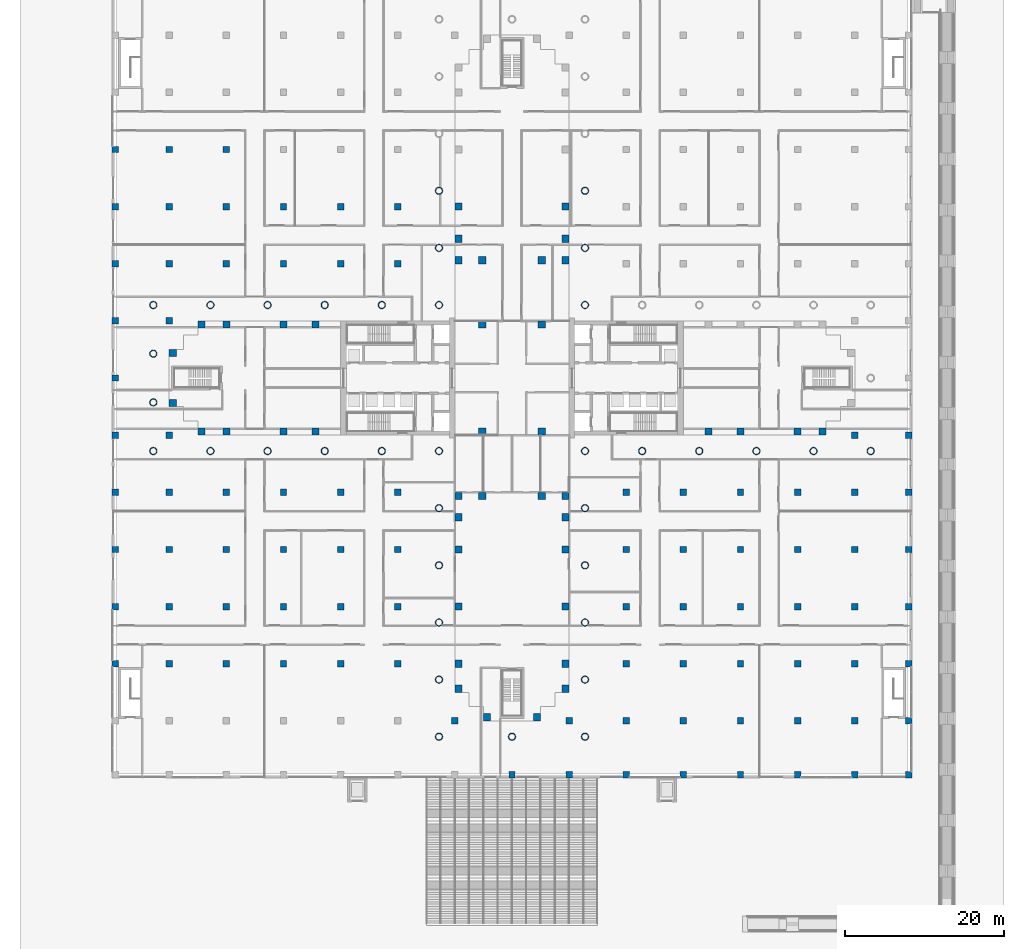
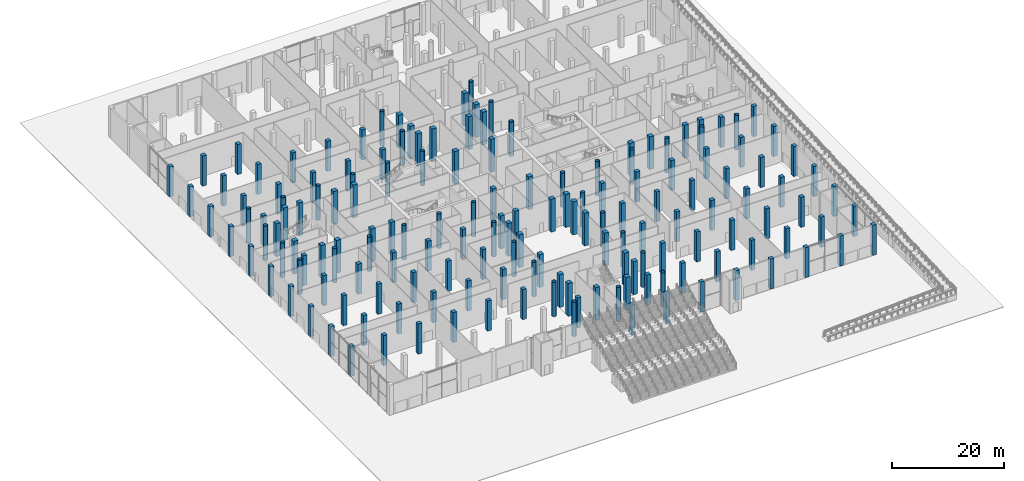
# One storey, part 2 of 44: 164 columns.
"""IFC4 building model written with IfcOpenShell, lengths in metres."""

from ifc_helpers import new_model, si_unit, direction, frame, origin, origin_2d, place, context, subcontext, project, spatial, rectangle, hollow_circle, extrude, material, material_profile, profile_set, type_object, element, save


model = new_model("IFC4")

# Units and contexts
model_context = context("Model", 3, precision=1e-05, world=origin(), true_north=direction((0.0, 1.0)))
body_context = subcontext(model_context, "Body", "Model", "MODEL_VIEW")
ifc_project = project(units=[si_unit("LENGTHUNIT", "METRE"), si_unit("AREAUNIT", "SQUARE_METRE"), si_unit("VOLUMEUNIT", "CUBIC_METRE"), si_unit("PLANEANGLEUNIT", "RADIAN"), si_unit("MASSUNIT", "GRAM", prefix="KILO")], contexts=[model_context])

# Site, building, storey
site_placement = place(None, origin())
site = spatial("IfcSite", under=ifc_project, at=site_placement, CompositionType="ELEMENT")
building_placement = place(site_placement, origin())
building = spatial("IfcBuilding", under=site, at=building_placement, Name="Fustian Cross Tower", CompositionType="ELEMENT")
storey_placement = place(building_placement, origin())
storey = spatial("IfcBuildingStorey", under=building, at=storey_placement, Name="L00", CompositionType="ELEMENT", Elevation=0.0)

# Columns
ifc_material_1 = material(Name="Concrete C50/60", Category="concrete")
ifc_material_profile_1 = material_profile(ifc_material_1, rectangle(XDim=0.800048828125, YDim=0.800048828125, at=origin_2d()), Name="RC 800x800")
ifc_profile_set_1 = profile_set([ifc_material_profile_1], Name="Concrete C50/60")
column_type_1 = type_object("IfcColumnType", Name="COLUMN RC 800x800 C50/60", PredefinedType="COLUMN", material=ifc_profile_set_1)
for number, where, z_axis, x_axis, name in (
    (1, (-50.0, -36.0, 0.0), (0.0, 0.0, 1.0), (1.0, 0.0, 0.0), "COLUMN 067"),
    (2, (-50.0, -28.800048828125, 0.0), (0.0, 0.0, 1.0), (1.0, 0.0, 0.0), "COLUMN 068"),
    (3, (-50.0, -21.60009765625, 0.0), (0.0, 0.0, 1.0), (1.0, 0.0, 0.0), "COLUMN 069"),
    (4, (-50.0, -14.39990234375, 0.0), (0.0, 0.0, 1.0), (1.0, 0.0, 0.0), "COLUMN 070"),
    (5, (-50.0, -7.199951171875, 0.0), (0.0, 0.0, 1.0), (1.0, 0.0, 0.0), "COLUMN 071"),
    (6, (-50.0, 0.0, 0.0), (0.0, 0.0, 1.0), (1.0, 0.0, 0.0), "COLUMN 072"),
    (7, (-50.0, 7.199951171875, 0.0), (0.0, 0.0, 1.0), (1.0, 0.0, 0.0), "COLUMN 073"),
    (8, (-50.0, 14.39990234375, 0.0), (0.0, 0.0, 1.0), (1.0, 0.0, 0.0), "COLUMN 074"),
    (9, (-50.0, 21.60009765625, 0.0), (0.0, 0.0, 1.0), (1.0, 0.0, 0.0), "COLUMN 075"),
    (10, (-50.0, 28.800048828125, 0.0), (0.0, 0.0, 1.0), (1.0, 0.0, 0.0), "COLUMN 076"),
    (11, (-43.199951171875, -36.0, 0.0), (0.0, 0.0, 1.0), (1.0, 0.0, 0.0), "COLUMN 082"),
    (12, (-43.199951171875, -28.800048828125, 0.0), (0.0, 0.0, 1.0), (1.0, 0.0, 0.0), "COLUMN 083"),
    (13, (-43.199951171875, -21.60009765625, 0.0), (0.0, 0.0, 1.0), (1.0, 0.0, 0.0), "COLUMN 084"),
    (14, (-43.199951171875, -14.39990234375, 0.0), (0.0, 0.0, 1.0), (1.0, 0.0, 0.0), "COLUMN 085"),
    (15, (-43.199951171875, -7.199951171875, 0.0), (0.0, 0.0, 1.0), (1.0, 0.0, 0.0), "COLUMN 086"),
    (16, (-43.199951171875, 7.199951171875, 0.0), (0.0, 0.0, 1.0), (1.0, 0.0, 0.0), "COLUMN 087"),
    (17, (-43.199951171875, 14.39990234375, 0.0), (0.0, 0.0, 1.0), (1.0, 0.0, 0.0), "COLUMN 088"),
    (18, (-43.199951171875, 21.60009765625, 0.0), (0.0, 0.0, 1.0), (1.0, 0.0, 0.0), "COLUMN 089"),
    (19, (-43.199951171875, 28.800048828125, 0.0), (0.0, 0.0, 1.0), (1.0, 0.0, 0.0), "COLUMN 090"),
    (20, (-36.0, -36.0, 0.0), (0.0, 0.0, 1.0), (1.0, 0.0, 0.0), "COLUMN 096"),
    (21, (-36.0, -28.800048828125, 0.0), (0.0, 0.0, 1.0), (1.0, 0.0, 0.0), "COLUMN 097"),
    (22, (-36.0, -21.60009765625, 0.0), (0.0, 0.0, 1.0), (1.0, 0.0, 0.0), "COLUMN 098"),
    (23, (-36.0, -14.39990234375, 0.0), (0.0, 0.0, 1.0), (1.0, 0.0, 0.0), "COLUMN 099"),
    (24, (-36.0, 14.39990234375, 0.0), (0.0, 0.0, 1.0), (1.0, 0.0, 0.0), "COLUMN 100"),
    (25, (-36.0, 21.60009765625, 0.0), (0.0, 0.0, 1.0), (1.0, 0.0, 0.0), "COLUMN 101"),
    (26, (-36.0, 28.800048828125, 0.0), (0.0, 0.0, 1.0), (1.0, 0.0, 0.0), "COLUMN 102"),
    (27, (-28.800048828125, -36.0, 0.0), (0.0, 0.0, 1.0), (1.0, 0.0, 0.0), "COLUMN 108"),
    (28, (-28.800048828125, -28.800048828125, 0.0), (0.0, 0.0, 1.0), (1.0, 0.0, 0.0), "COLUMN 109"),
    (29, (-28.800048828125, -21.60009765625, 0.0), (0.0, 0.0, 1.0), (1.0, 0.0, 0.0), "COLUMN 110"),
    (30, (-28.800048828125, -14.39990234375, 0.0), (0.0, 0.0, 1.0), (1.0, 0.0, 0.0), "COLUMN 111"),
    (31, (-28.800048828125, 14.39990234375, 0.0), (0.0, 0.0, 1.0), (1.0, 0.0, 0.0), "COLUMN 112"),
    (32, (-28.800048828125, 21.60009765625, 0.0), (0.0, 0.0, 1.0), (1.0, 0.0, 0.0), "COLUMN 113"),
    (33, (-21.60009765625, -36.0, 0.0), (0.0, 0.0, 1.0), (1.0, 0.0, 0.0), "COLUMN 120"),
    (34, (-21.60009765625, -28.800048828125, 0.0), (0.0, 0.0, 1.0), (1.0, 0.0, 0.0), "COLUMN 121"),
    (35, (-21.60009765625, -21.60009765625, 0.0), (0.0, 0.0, 1.0), (1.0, 0.0, 0.0), "COLUMN 122"),
    (36, (-21.60009765625, -14.39990234375, 0.0), (0.0, 0.0, 1.0), (1.0, 0.0, 0.0), "COLUMN 123"),
    (37, (-21.60009765625, 14.39990234375, 0.0), (0.0, 0.0, 1.0), (1.0, 0.0, 0.0), "COLUMN 124"),
    (38, (-21.60009765625, 21.60009765625, 0.0), (0.0, 0.0, 1.0), (1.0, 0.0, 0.0), "COLUMN 125"),
    (39, (-14.39990234375, -36.0, 0.0), (0.0, 0.0, 1.0), (1.0, 0.0, 0.0), "COLUMN 132"),
    (40, (-14.39990234375, -28.800048828125, 0.0), (0.0, 0.0, 1.0), (1.0, 0.0, 0.0), "COLUMN 133"),
    (41, (-14.39990234375, -21.60009765625, 0.0), (0.0, 0.0, 1.0), (1.0, 0.0, 0.0), "COLUMN 134"),
    (42, (-14.39990234375, -14.39990234375, 0.0), (0.0, 0.0, 1.0), (1.0, 0.0, 0.0), "COLUMN 135"),
    (43, (-14.39990234375, 14.39990234375, 0.0), (0.0, 0.0, 1.0), (1.0, 0.0, 0.0), "COLUMN 136"),
    (44, (-14.39990234375, 21.60009765625, 0.0), (0.0, 0.0, 1.0), (1.0, 0.0, 0.0), "COLUMN 137"),
    (45, (-7.199951171875, -43.199951171875, 0.0), (0.0, 0.0, 1.0), (1.0, 0.0, 0.0), "COLUMN 143"),
    (46, (0.0, -50.0, 0.0), (0.0, 0.0, 1.0), (1.0, 0.0, 0.0), "COLUMN 146"),
    (47, (7.199951171875, -50.0, 0.0), (0.0, 0.0, 1.0), (1.0, 0.0, 0.0), "COLUMN 148"),
    (48, (7.199951171875, -43.199951171875, 0.0), (0.0, 0.0, 1.0), (1.0, 0.0, 0.0), "COLUMN 149"),
    (49, (14.39990234375, -50.0, 0.0), (0.0, 0.0, 1.0), (1.0, 0.0, 0.0), "COLUMN 152"),
    (50, (14.39990234375, -43.199951171875, 0.0), (0.0, 0.0, 1.0), (1.0, 0.0, 0.0), "COLUMN 153"),
    (51, (14.39990234375, -36.0, 0.0), (0.0, 0.0, 1.0), (1.0, 0.0, 0.0), "COLUMN 154"),
    (52, (14.39990234375, -28.800048828125, 0.0), (0.0, 0.0, 1.0), (1.0, 0.0, 0.0), "COLUMN 155"),
    (53, (14.39990234375, -21.60009765625, 0.0), (0.0, 0.0, 1.0), (1.0, 0.0, 0.0), "COLUMN 156"),
    (54, (14.39990234375, -14.39990234375, 0.0), (0.0, 0.0, 1.0), (1.0, 0.0, 0.0), "COLUMN 157"),
    (55, (21.60009765625, -50.0, 0.0), (0.0, 0.0, 1.0), (1.0, 0.0, 0.0), "COLUMN 164"),
    (56, (21.60009765625, -43.199951171875, 0.0), (0.0, 0.0, 1.0), (1.0, 0.0, 0.0), "COLUMN 165"),
    (57, (21.60009765625, -36.0, 0.0), (0.0, 0.0, 1.0), (1.0, 0.0, 0.0), "COLUMN 166"),
    (58, (21.60009765625, -28.800048828125, 0.0), (0.0, 0.0, 1.0), (1.0, 0.0, 0.0), "COLUMN 167"),
    (59, (21.60009765625, -21.60009765625, 0.0), (0.0, 0.0, 1.0), (1.0, 0.0, 0.0), "COLUMN 168"),
    (60, (21.60009765625, -14.39990234375, 0.0), (0.0, 0.0, 1.0), (1.0, 0.0, 0.0), "COLUMN 169"),
    (61, (28.800048828125, -50.0, 0.0), (0.0, 0.0, 1.0), (1.0, 0.0, 0.0), "COLUMN 176"),
    (62, (28.800048828125, -43.199951171875, 0.0), (0.0, 0.0, 1.0), (1.0, 0.0, 0.0), "COLUMN 177"),
    (63, (28.800048828125, -36.0, 0.0), (0.0, 0.0, 1.0), (1.0, 0.0, 0.0), "COLUMN 178"),
    (64, (28.800048828125, -28.800048828125, 0.0), (0.0, 0.0, 1.0), (1.0, 0.0, 0.0), "COLUMN 179"),
    (65, (28.800048828125, -21.60009765625, 0.0), (0.0, 0.0, 1.0), (1.0, 0.0, 0.0), "COLUMN 180"),
    (66, (28.800048828125, -14.39990234375, 0.0), (0.0, 0.0, 1.0), (1.0, 0.0, 0.0), "COLUMN 181"),
    (67, (36.0, -50.0, 0.0), (0.0, 0.0, 1.0), (1.0, 0.0, 0.0), "COLUMN 188"),
    (68, (36.0, -43.199951171875, 0.0), (0.0, 0.0, 1.0), (1.0, 0.0, 0.0), "COLUMN 189"),
    (69, (36.0, -36.0, 0.0), (0.0, 0.0, 1.0), (1.0, 0.0, 0.0), "COLUMN 190"),
    (70, (36.0, -28.800048828125, 0.0), (0.0, 0.0, 1.0), (1.0, 0.0, 0.0), "COLUMN 191"),
    (71, (36.0, -21.60009765625, 0.0), (0.0, 0.0, 1.0), (1.0, 0.0, 0.0), "COLUMN 192"),
    (72, (36.0, -14.39990234375, 0.0), (0.0, 0.0, 1.0), (1.0, 0.0, 0.0), "COLUMN 193"),
    (73, (43.199951171875, -50.0, 0.0), (0.0, 0.0, 1.0), (1.0, 0.0, 0.0), "COLUMN 200"),
    (74, (43.199951171875, -43.199951171875, 0.0), (0.0, 0.0, 1.0), (1.0, 0.0, 0.0), "COLUMN 201"),
    (75, (43.199951171875, -36.0, 0.0), (0.0, 0.0, 1.0), (1.0, 0.0, 0.0), "COLUMN 202"),
    (76, (43.199951171875, -28.800048828125, 0.0), (0.0, 0.0, 1.0), (1.0, 0.0, 0.0), "COLUMN 203"),
    (77, (43.199951171875, -21.60009765625, 0.0), (0.0, 0.0, 1.0), (1.0, 0.0, 0.0), "COLUMN 204"),
    (78, (43.199951171875, -14.39990234375, 0.0), (0.0, 0.0, 1.0), (1.0, 0.0, 0.0), "COLUMN 205"),
    (79, (43.199951171875, -7.199951171875, 0.0), (0.0, 0.0, 1.0), (1.0, 0.0, 0.0), "COLUMN 206"),
    (80, (50.0, -50.0, 0.0), (0.0, 0.0, 1.0), (1.0, 0.0, 0.0), "COLUMN 214"),
    (81, (50.0, -43.199951171875, 0.0), (0.0, 0.0, 1.0), (1.0, 0.0, 0.0), "COLUMN 215"),
    (82, (50.0, -36.0, 0.0), (0.0, 0.0, 1.0), (1.0, 0.0, 0.0), "COLUMN 216"),
    (83, (50.0, -28.800048828125, 0.0), (0.0, 0.0, 1.0), (1.0, 0.0, 0.0), "COLUMN 217"),
    (84, (50.0, -21.60009765625, 0.0), (0.0, 0.0, 1.0), (1.0, 0.0, 0.0), "COLUMN 218"),
    (85, (50.0, -14.39990234375, 0.0), (0.0, 0.0, 1.0), (1.0, 0.0, 0.0), "COLUMN 219"),
    (86, (50.0, -7.199951171875, 0.0), (0.0, 0.0, 1.0), (1.0, 0.0, 0.0), "COLUMN 220"),
):
    element("IfcColumn", number, at=place(storey_placement, frame(where, z_axis=z_axis, x_axis=x_axis)), inside=storey, type_object=column_type_1, Name=name, PredefinedType="COLUMN", context=body_context, shape_type="SweptSolid", body=[
        extrude(rectangle(XDim=0.800048828125, YDim=0.800048828125, at=origin_2d()), origin(), (0.0, 0.0, 1.0), 6.60009765625),
    ])
ifc_material_2 = material(Name="Concrete C70/85", Category="concrete")
ifc_material_profile_2 = material_profile(ifc_material_2, rectangle(XDim=0.89990234375, YDim=0.89990234375, at=origin_2d()), Name="RC 900x900")
ifc_profile_set_2 = profile_set([ifc_material_profile_2], Name="Concrete C70/85")
column_type_2 = type_object("IfcColumnType", Name="COLUMN RC 900x900 C70/85", PredefinedType="COLUMN", material=ifc_profile_set_2)
for number, where, z_axis, x_axis, name in (
    (87, (-42.75, -3.14990234375, 0.0), (0.0, 0.0, 1.0), (1.0, 0.0, 0.0), "COLUMN 001"),
    (88, (-42.75, 3.14990234375, 0.0), (0.0, 0.0, 1.0), (1.0, 0.0, 0.0), "COLUMN 002"),
    (89, (-39.14990234375, -6.75, 0.0), (0.0, 0.0, 1.0), (1.0, 0.0, 0.0), "COLUMN 003"),
    (90, (-39.14990234375, 6.75, 0.0), (0.0, 0.0, 1.0), (1.0, 0.0, 0.0), "COLUMN 004"),
    (91, (-36.0, -6.75, 0.0), (0.0, 0.0, 1.0), (1.0, 0.0, 0.0), "COLUMN 005"),
    (92, (-36.0, 6.75, 0.0), (0.0, 0.0, 1.0), (1.0, 0.0, 0.0), "COLUMN 006"),
    (93, (-28.800048828125, -6.75, 0.0), (0.0, 0.0, 1.0), (1.0, 0.0, 0.0), "COLUMN 007"),
    (94, (-28.800048828125, 6.75, 0.0), (0.0, 0.0, 1.0), (1.0, 0.0, 0.0), "COLUMN 010"),
    (95, (-24.75, -6.75, 0.0), (0.0, 0.0, 1.0), (1.0, 0.0, 0.0), "COLUMN 011"),
    (96, (-24.75, 6.75, 0.0), (0.0, 0.0, 1.0), (1.0, 0.0, 0.0), "COLUMN 012"),
    (97, (-6.75, -39.14990234375, 0.0), (0.0, 0.0, 1.0), (1.0, 0.0, 0.0), "COLUMN 013"),
    (98, (-6.75, -36.0, 0.0), (0.0, 0.0, 1.0), (1.0, 0.0, 0.0), "COLUMN 014"),
    (99, (-6.75, -28.800048828125, 0.0), (0.0, 0.0, 1.0), (1.0, 0.0, 0.0), "COLUMN 015"),
    (100, (-6.75, -21.60009765625, 0.0), (0.0, 0.0, 1.0), (1.0, 0.0, 0.0), "COLUMN 016"),
    (101, (-6.75, -17.550048828125, 0.0), (0.0, 0.0, 1.0), (1.0, 0.0, 0.0), "COLUMN 017"),
    (102, (-6.75, -14.85009765625, 0.0), (0.0, 0.0, 1.0), (1.0, 0.0, 0.0), "COLUMN 018"),
    (103, (-6.75, 14.85009765625, 0.0), (0.0, 0.0, 1.0), (1.0, 0.0, 0.0), "COLUMN 019"),
    (104, (-6.75, 17.550048828125, 0.0), (0.0, 0.0, 1.0), (1.0, 0.0, 0.0), "COLUMN 020"),
    (105, (-6.75, 21.60009765625, 0.0), (0.0, 0.0, 1.0), (1.0, 0.0, 0.0), "COLUMN 021"),
    (106, (-3.75, -14.85009765625, 0.0), (0.0, 0.0, 1.0), (1.0, 0.0, 0.0), "COLUMN 025"),
    (107, (-3.75, -6.75, 0.0), (0.0, 0.0, 1.0), (1.0, 0.0, 0.0), "COLUMN 026"),
    (108, (-3.75, 6.75, 0.0), (0.0, 0.0, 1.0), (1.0, 0.0, 0.0), "COLUMN 027"),
    (109, (-3.75, 14.85009765625, 0.0), (0.0, 0.0, 1.0), (1.0, 0.0, 0.0), "COLUMN 028"),
    (110, (-3.14990234375, -42.75, 0.0), (0.0, 0.0, 1.0), (1.0, 0.0, 0.0), "COLUMN 029"),
    (111, (3.14990234375, -42.75, 0.0), (0.0, 0.0, 1.0), (1.0, 0.0, 0.0), "COLUMN 033"),
    (112, (3.75, -14.85009765625, 0.0), (0.0, 0.0, 1.0), (1.0, 0.0, 0.0), "COLUMN 037"),
    (113, (3.75, -6.75, 0.0), (0.0, 0.0, 1.0), (1.0, 0.0, 0.0), "COLUMN 038"),
    (114, (3.75, 6.75, 0.0), (0.0, 0.0, 1.0), (1.0, 0.0, 0.0), "COLUMN 039"),
    (115, (3.75, 14.85009765625, 0.0), (0.0, 0.0, 1.0), (1.0, 0.0, 0.0), "COLUMN 040"),
    (116, (6.75, -39.14990234375, 0.0), (0.0, 0.0, 1.0), (1.0, 0.0, 0.0), "COLUMN 041"),
    (117, (6.75, -36.0, 0.0), (0.0, 0.0, 1.0), (1.0, 0.0, 0.0), "COLUMN 042"),
    (118, (6.75, -28.800048828125, 0.0), (0.0, 0.0, 1.0), (1.0, 0.0, 0.0), "COLUMN 043"),
    (119, (6.75, -21.60009765625, 0.0), (0.0, 0.0, 1.0), (1.0, 0.0, 0.0), "COLUMN 044"),
    (120, (6.75, -17.550048828125, 0.0), (0.0, 0.0, 1.0), (1.0, 0.0, 0.0), "COLUMN 045"),
    (121, (6.75, -14.85009765625, 0.0), (0.0, 0.0, 1.0), (1.0, 0.0, 0.0), "COLUMN 046"),
    (122, (6.75, 14.85009765625, 0.0), (0.0, 0.0, 1.0), (1.0, 0.0, 0.0), "COLUMN 047"),
    (123, (6.75, 17.550048828125, 0.0), (0.0, 0.0, 1.0), (1.0, 0.0, 0.0), "COLUMN 048"),
    (124, (6.75, 21.60009765625, 0.0), (0.0, 0.0, 1.0), (1.0, 0.0, 0.0), "COLUMN 049"),
    (125, (24.75, -6.75, 0.0), (0.0, 0.0, 1.0), (1.0, 0.0, 0.0), "COLUMN 053"),
    (126, (28.800048828125, -6.75, 0.0), (0.0, 0.0, 1.0), (1.0, 0.0, 0.0), "COLUMN 055"),
    (127, (36.0, -6.75, 0.0), (0.0, 0.0, 1.0), (1.0, 0.0, 0.0), "COLUMN 059"),
    (128, (39.14990234375, -6.75, 0.0), (0.0, 0.0, 1.0), (1.0, 0.0, 0.0), "COLUMN 061"),
):
    element("IfcColumn", number, at=place(storey_placement, frame(where, z_axis=z_axis, x_axis=x_axis)), inside=storey, type_object=column_type_2, Name=name, PredefinedType="COLUMN", context=body_context, shape_type="SweptSolid", body=[
        extrude(rectangle(XDim=0.89990234375, YDim=0.89990234375, at=origin_2d()), origin(), (0.0, 0.0, 1.0), 7.199951171875),
    ])
ifc_material_3 = material(Name="Steel S355", Category="steel")
ifc_material_profile_3 = material_profile(ifc_material_3, hollow_circle(Radius=0.457275390625, WallThickness=0.050048828125, at=origin_2d()), Name="CHS 914x50")
ifc_profile_set_3 = profile_set([ifc_material_profile_3], Name="Steel S355")
column_type_3 = type_object("IfcColumnType", Name="DIAGRID FOOT COLUMN CHS 914x50", PredefinedType="COLUMN", material=ifc_profile_set_3)
for number, where, z_axis, x_axis, name in (
    (129, (9.199951171875, 9.199951171875, 0.0), (0.0, 0.0, 1.0), (1.0, 0.0, 0.0), "Diagrid foot L01-07"),
    (130, (9.199951171875, 16.39990234375, 0.0), (0.0, 0.0, 1.0), (1.0, 0.0, 0.0), "Diagrid foot L01-08"),
    (131, (9.199951171875, 23.60009765625, 0.0), (0.0, 0.0, 1.0), (1.0, 0.0, 0.0), "Diagrid foot L01-09"),
    (132, (-9.199951171875, 23.60009765625, 0.0), (0.0, 0.0, 1.0), (1.0, 0.0, 0.0), "Diagrid foot L01-17"),
    (133, (-9.199951171875, 16.39990234375, 0.0), (0.0, 0.0, 1.0), (1.0, 0.0, 0.0), "Diagrid foot L01-18"),
    (134, (-9.199951171875, 9.199951171875, 0.0), (0.0, 0.0, 1.0), (1.0, 0.0, 0.0), "Diagrid foot L01-19"),
    (135, (-16.39990234375, 9.199951171875, 0.0), (0.0, 0.0, 1.0), (1.0, 0.0, 0.0), "Diagrid foot L01-20"),
    (136, (-23.60009765625, 9.199951171875, 0.0), (0.0, 0.0, 1.0), (1.0, 0.0, 0.0), "Diagrid foot L01-21"),
    (137, (-30.800048828125, 9.199951171875, 0.0), (0.0, 0.0, 1.0), (1.0, 0.0, 0.0), "Diagrid foot L01-22"),
    (138, (-38.0, 9.199951171875, 0.0), (0.0, 0.0, 1.0), (1.0, 0.0, 0.0), "Diagrid foot L01-23"),
    (139, (-45.199951171875, 9.199951171875, 0.0), (0.0, 0.0, 1.0), (1.0, 0.0, 0.0), "Diagrid foot L01-24"),
    (140, (-45.199951171875, 3.066650390625, 0.0), (0.0, 0.0, 1.0), (1.0, 0.0, 0.0), "Diagrid foot L01-25"),
    (141, (-45.199951171875, -3.066650390625, 0.0), (0.0, 0.0, 1.0), (1.0, 0.0, 0.0), "Diagrid foot L01-26"),
    (142, (-45.199951171875, -9.199951171875, 0.0), (0.0, 0.0, 1.0), (1.0, 0.0, 0.0), "Diagrid foot L01-27"),
    (143, (-38.0, -9.199951171875, 0.0), (0.0, 0.0, 1.0), (1.0, 0.0, 0.0), "Diagrid foot L01-28"),
    (144, (-30.800048828125, -9.199951171875, 0.0), (0.0, 0.0, 1.0), (1.0, 0.0, 0.0), "Diagrid foot L01-29"),
    (145, (-23.60009765625, -9.199951171875, 0.0), (0.0, 0.0, 1.0), (1.0, 0.0, 0.0), "Diagrid foot L01-30"),
    (146, (-16.39990234375, -9.199951171875, 0.0), (0.0, 0.0, 1.0), (1.0, 0.0, 0.0), "Diagrid foot L01-31"),
    (147, (-9.199951171875, -9.199951171875, 0.0), (0.0, 0.0, 1.0), (1.0, 0.0, 0.0), "Diagrid foot L01-32"),
    (148, (-9.199951171875, -16.39990234375, 0.0), (0.0, 0.0, 1.0), (1.0, 0.0, 0.0), "Diagrid foot L01-33"),
    (149, (-9.199951171875, -23.60009765625, 0.0), (0.0, 0.0, 1.0), (1.0, 0.0, 0.0), "Diagrid foot L01-34"),
    (150, (-9.199951171875, -30.800048828125, 0.0), (0.0, 0.0, 1.0), (1.0, 0.0, 0.0), "Diagrid foot L01-35"),
    (151, (-9.199951171875, -38.0, 0.0), (0.0, 0.0, 1.0), (1.0, 0.0, 0.0), "Diagrid foot L01-36"),
    (152, (-9.199951171875, -45.199951171875, 0.0), (0.0, 0.0, 1.0), (1.0, 0.0, 0.0), "Diagrid foot L01-37"),
    (153, (0.0, -45.199951171875, 0.0), (0.0, 0.0, 1.0), (1.0, 0.0, 0.0), "Diagrid foot L01-38"),
    (154, (9.199951171875, -45.199951171875, 0.0), (0.0, 0.0, 1.0), (1.0, 0.0, 0.0), "Diagrid foot L01-39"),
    (155, (9.199951171875, -38.0, 0.0), (0.0, 0.0, 1.0), (1.0, 0.0, 0.0), "Diagrid foot L01-40"),
    (156, (9.199951171875, -30.800048828125, 0.0), (0.0, 0.0, 1.0), (1.0, 0.0, 0.0), "Diagrid foot L01-41"),
    (157, (9.199951171875, -23.60009765625, 0.0), (0.0, 0.0, 1.0), (1.0, 0.0, 0.0), "Diagrid foot L01-42"),
    (158, (9.199951171875, -16.39990234375, 0.0), (0.0, 0.0, 1.0), (1.0, 0.0, 0.0), "Diagrid foot L01-43"),
    (159, (9.199951171875, -9.199951171875, 0.0), (0.0, 0.0, 1.0), (1.0, 0.0, 0.0), "Diagrid foot L01-44"),
    (160, (16.39990234375, -9.199951171875, 0.0), (0.0, 0.0, 1.0), (1.0, 0.0, 0.0), "Diagrid foot L01-45"),
    (161, (23.60009765625, -9.199951171875, 0.0), (0.0, 0.0, 1.0), (1.0, 0.0, 0.0), "Diagrid foot L01-46"),
    (162, (30.800048828125, -9.199951171875, 0.0), (0.0, 0.0, 1.0), (1.0, 0.0, 0.0), "Diagrid foot L01-47"),
    (163, (38.0, -9.199951171875, 0.0), (0.0, 0.0, 1.0), (1.0, 0.0, 0.0), "Diagrid foot L01-48"),
    (164, (45.199951171875, -9.199951171875, 0.0), (0.0, 0.0, 1.0), (1.0, 0.0, 0.0), "Diagrid foot L01-49"),
):
    element("IfcColumn", number, at=place(storey_placement, frame(where, z_axis=z_axis, x_axis=x_axis)), inside=storey, type_object=column_type_3, Name=name, PredefinedType="COLUMN", context=body_context, shape_type="SweptSolid", body=[
        extrude(hollow_circle(Radius=0.457275390625, WallThickness=0.050048828125, at=origin_2d()), origin(), (0.0, 0.0, 1.0), 7.5),
    ])

save(model, "model.ifc")
